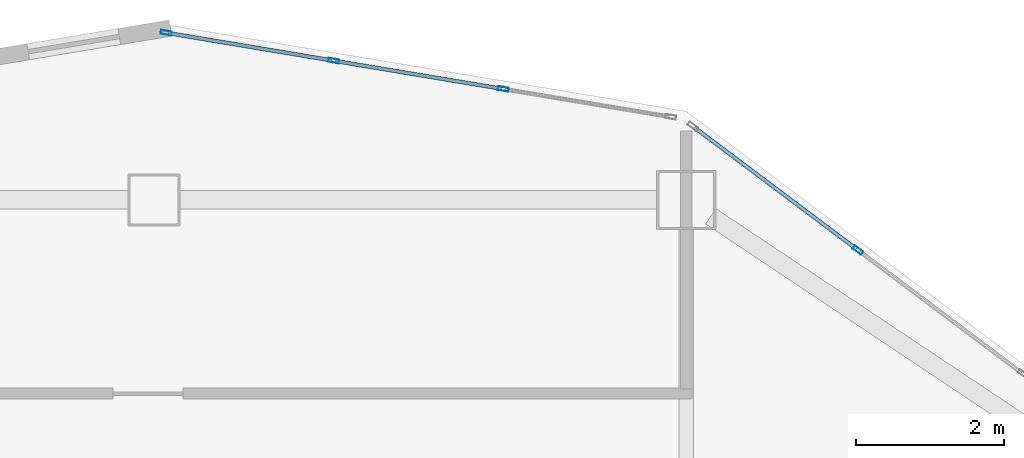
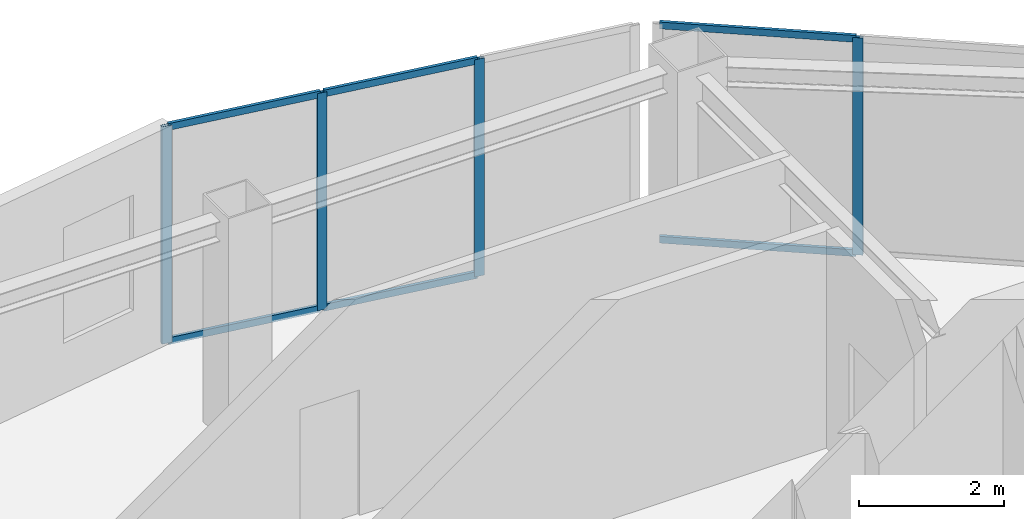
# One storey, part 2 of 9: 10 members, 2 elements without a shape of their own.
"""IFC4 building model written with IfcOpenShell, lengths in metres."""

from ifc_helpers import new_model, si_unit, direction, frame, origin, origin_2d, place, context, subcontext, project, spatial, hollow_rectangle, extrude, material, layer, layer_set, material_profile, profile_set, type_object, element, aggregate, save


model = new_model("IFC4")

# Units and contexts
model_context = context("Model", 3, precision=1e-05, world=origin(), true_north=direction((0.0, 1.0)))
body_context = subcontext(model_context, "Body", "Model", "MODEL_VIEW")
ifc_project = project(units=[si_unit("LENGTHUNIT", "METRE"), si_unit("AREAUNIT", "SQUARE_METRE"), si_unit("VOLUMEUNIT", "CUBIC_METRE"), si_unit("PLANEANGLEUNIT", "RADIAN"), si_unit("MASSUNIT", "GRAM", prefix="KILO")], contexts=[model_context])

# Site, building, storey
site_placement = place(None, origin())
site = spatial("IfcSite", under=ifc_project, at=site_placement, CompositionType="ELEMENT")
building_placement = place(site_placement, origin())
building = spatial("IfcBuilding", under=site, at=building_placement, Name="Haolan Belvedere Tower", CompositionType="ELEMENT")
storey_placement = place(building_placement, frame((0.0, 0.0, 262.14990234375)))
storey = spatial("IfcBuildingStorey", under=building, at=storey_placement, Name="L66", CompositionType="ELEMENT", Elevation=262.14990234375)

# Curtain wall, member
ifc_material_1 = material(Name="Anodised champagne-silver aluminium 6063-T6 and Low-E glass", Category="aluminium")
ifc_layer = layer(ifc_material_1, 0.14501953125, Name="Anodised champagne-silver aluminium 6063-T6 and Low-E glass")
ifc_layer_set = layer_set([ifc_layer], Name="Anodised champagne-silver aluminium 6063-T6 and Low-E glass")
curtain_wall_type = type_object("IfcCurtainWallType", Name="CW-SYS-05", PredefinedType="NOTDEFINED", material=ifc_layer_set)
curtain_wall_1_placement = place(storey_placement, origin())
curtain_wall_1 = element("IfcCurtainWall", 1, at=curtain_wall_1_placement, inside=storey, type_object=curtain_wall_type, Name="L66 CW-SYS-05 ribbon curtain wall 8.1", PredefinedType="NOTDEFINED")
ifc_material_2 = material(Name="Anodised aluminium 6063-T6", Category="aluminium")
ifc_material_profile_1 = material_profile(ifc_material_2, hollow_rectangle(XDim=0.053955078125, YDim=0.14501953125, WallThickness=0.00390625, at=origin_2d()), Name="Anodised aluminium 6063-T6")
ifc_profile_set_1 = profile_set([ifc_material_profile_1], Name="Anodised aluminium 6063-T6")
member_type_1 = type_object("IfcMemberType", Name="CW-SYS-05-MUL", PredefinedType="MULLION", material=ifc_profile_set_1)
member_1_placement = place(storey_placement, frame((47.9228515625, 49.720458984375, 0.0), z_axis=(0.0, 0.0, 1.0), x_axis=(-0.600002837806, -0.799997871638, 0.0)))
member_1 = element("IfcMember", 2, at=member_1_placement, type_object=member_type_1, Name="CW-05 mullion 2", PredefinedType="MULLION", context=body_context, shape_type="SweptSolid", body=[
    extrude(hollow_rectangle(XDim=0.053955078125, YDim=0.14501953125, WallThickness=0.00390625, at=origin_2d()), origin(), (0.0, 0.0, 1.0), 3.670166015625),
])

# Curtain wall, members
curtain_wall_2_placement = place(storey_placement, origin())
curtain_wall_2 = element("IfcCurtainWall", 3, at=curtain_wall_2_placement, inside=storey, type_object=curtain_wall_type, Name="L66 CW-SYS-05 ribbon curtain wall 9.1", PredefinedType="NOTDEFINED")
member_2_placement = place(storey_placement, frame((43.124267578125, 51.901123046875, 0.0), z_axis=(0.0, 0.0, 1.0), x_axis=(-0.164405962825, -0.98639276122, 0.0)))
member_2 = element("IfcMember", 4, at=member_2_placement, type_object=member_type_1, Name="CW-05 mullion 2", PredefinedType="MULLION", context=body_context, shape_type="SweptSolid", body=[
    extrude(hollow_rectangle(XDim=0.053955078125, YDim=0.14501953125, WallThickness=0.00390625, at=origin_2d()), origin(), (0.0, 0.0, 1.0), 3.670166015625),
])
member_3_placement = place(storey_placement, frame((40.831298828125, 52.283203125, 0.0), z_axis=(0.0, 0.0, 1.0), x_axis=(-0.164405962825, -0.98639276122, 0.0)))
member_3 = element("IfcMember", 5, at=member_3_placement, type_object=member_type_1, Name="CW-05 mullion 3", PredefinedType="MULLION", context=body_context, shape_type="SweptSolid", body=[
    extrude(hollow_rectangle(XDim=0.053955078125, YDim=0.14501953125, WallThickness=0.00390625, at=origin_2d()), origin(), (0.0, 0.0, 1.0), 3.670166015625),
])
member_4_placement = place(storey_placement, frame((38.564697265625, 52.6611328125, 0.0), z_axis=(0.0, 0.0, 1.0), x_axis=(-0.164405962825, -0.98639276122, 0.0)))
member_4 = element("IfcMember", 6, at=member_4_placement, type_object=member_type_1, Name="CW-05 mullion 4", PredefinedType="MULLION", context=body_context, shape_type="SweptSolid", body=[
    extrude(hollow_rectangle(XDim=0.053955078125, YDim=0.14501953125, WallThickness=0.00390625, at=origin_2d()), origin(), (0.0, 0.0, 1.0), 3.670166015625),
])

# Member
ifc_material_profile_2 = material_profile(ifc_material_2, hollow_rectangle(XDim=0.050048828125, YDim=0.114990234375, WallThickness=0.00390625, at=origin_2d()), Name="Anodised aluminium 6063-T6")
ifc_profile_set_2 = profile_set([ifc_material_profile_2], Name="Anodised aluminium 6063-T6")
member_type_2 = type_object("IfcMemberType", Name="CW-SYS-05-TRN", PredefinedType="USERDEFINED", material=ifc_profile_set_2)
member_5_placement = place(storey_placement, frame((47.901123046875, 49.736572265625, 0.025146484375), z_axis=(-0.8, 0.6, 0.0), x_axis=(-0.6, -0.8, 0.0)))
member_5 = element("IfcMember", 7, at=member_5_placement, type_object=member_type_2, Name="CW-05 transom 2.1", ObjectType="TRANSOM", PredefinedType="USERDEFINED", context=body_context, shape_type="SweptSolid", body=[
    extrude(hollow_rectangle(XDim=0.050048828125, YDim=0.114990234375, WallThickness=0.00390625, at=origin_2d()), origin(), (0.0, 0.0, 1.0), 2.738037109375),
])

member_6_placement = place(storey_placement, frame((47.901123046875, 49.736572265625, 3.64501953125), z_axis=(-0.8, 0.6, 0.0), x_axis=(-0.6, -0.8, 0.0)))
member_6 = element("IfcMember", 8, at=member_6_placement, type_object=member_type_2, Name="CW-05 transom 2.2", ObjectType="TRANSOM", PredefinedType="USERDEFINED", context=body_context, shape_type="SweptSolid", body=[
    extrude(hollow_rectangle(XDim=0.050048828125, YDim=0.114990234375, WallThickness=0.00390625, at=origin_2d()), origin(), (0.0, 0.0, 1.0), 2.738037109375),
])

aggregate(curtain_wall_1, [member_1, member_5, member_6])

member_7_placement = place(storey_placement, frame((43.09765625, 51.905517578125, 0.025146484375), z_axis=(-0.986393923832, 0.164398987305, 0.0), x_axis=(-0.164398987305, -0.986393923832, 0.0)))
member_7 = element("IfcMember", 9, at=member_7_placement, type_object=member_type_2, Name="CW-05 transom 2.1", ObjectType="TRANSOM", PredefinedType="USERDEFINED", context=body_context, shape_type="SweptSolid", body=[
    extrude(hollow_rectangle(XDim=0.050048828125, YDim=0.114990234375, WallThickness=0.00390625, at=origin_2d()), origin(), (0.0, 0.0, 1.0), 2.270751953125),
])

member_8_placement = place(storey_placement, frame((43.09765625, 51.905517578125, 3.64501953125), z_axis=(-0.986393923832, 0.164398987305, 0.0), x_axis=(-0.164398987305, -0.986393923832, 0.0)))
member_8 = element("IfcMember", 10, at=member_8_placement, type_object=member_type_2, Name="CW-05 transom 2.2", ObjectType="TRANSOM", PredefinedType="USERDEFINED", context=body_context, shape_type="SweptSolid", body=[
    extrude(hollow_rectangle(XDim=0.050048828125, YDim=0.114990234375, WallThickness=0.00390625, at=origin_2d()), origin(), (0.0, 0.0, 1.0), 2.270751953125),
])

member_9_placement = place(storey_placement, frame((40.8046875, 52.287841796875, 0.025146484375), z_axis=(-0.986393923832, 0.164398987305, 0.0), x_axis=(-0.164398987305, -0.986393923832, 0.0)))
member_9 = element("IfcMember", 11, at=member_9_placement, type_object=member_type_2, Name="CW-05 transom 3.1", ObjectType="TRANSOM", PredefinedType="USERDEFINED", context=body_context, shape_type="SweptSolid", body=[
    extrude(hollow_rectangle(XDim=0.050048828125, YDim=0.114990234375, WallThickness=0.00390625, at=origin_2d()), origin(), (0.0, 0.0, 1.0), 2.243896484375),
])

member_10_placement = place(storey_placement, frame((40.8046875, 52.287841796875, 3.64501953125), z_axis=(-0.986393923832, 0.164398987305, 0.0), x_axis=(-0.164398987305, -0.986393923832, 0.0)))
member_10 = element("IfcMember", 12, at=member_10_placement, type_object=member_type_2, Name="CW-05 transom 3.2", ObjectType="TRANSOM", PredefinedType="USERDEFINED", context=body_context, shape_type="SweptSolid", body=[
    extrude(hollow_rectangle(XDim=0.050048828125, YDim=0.114990234375, WallThickness=0.00390625, at=origin_2d()), origin(), (0.0, 0.0, 1.0), 2.243896484375),
])

aggregate(curtain_wall_2, [member_2, member_3, member_4, member_7, member_8, member_9, member_10])

save(model, "model.ifc")
